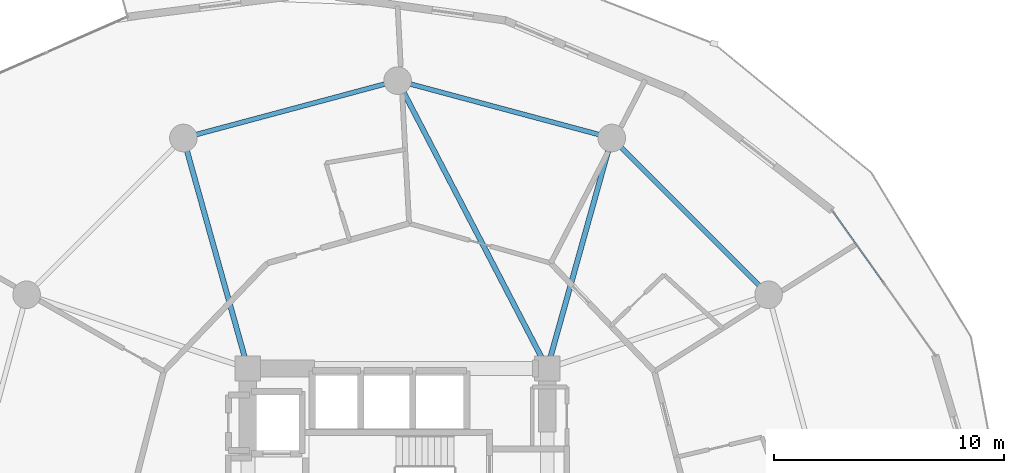
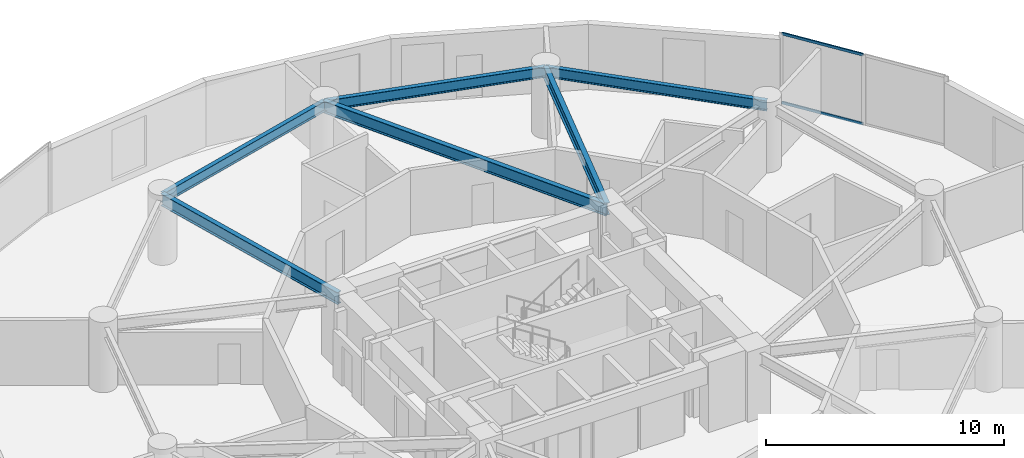
# One storey, part 16 of 25: 6 beams, 2 members, 1 element without a shape of its own.
"""IFC4 building model written with IfcOpenShell, lengths in metres."""

from ifc_helpers import new_model, si_unit, direction, frame, origin, origin_2d, place, context, subcontext, project, spatial, hollow_rectangle, i_section, extrude, source, transform, mapped, material, layer, layer_set, material_profile, profile_set, type_object, element, aggregate, save


model = new_model("IFC4")

# Units and contexts
model_context = context("Model", 3, precision=1e-05, world=origin(), true_north=direction((0.0, 1.0)))
body_context = subcontext(model_context, "Body", "Model", "MODEL_VIEW")
ifc_project = project(units=[si_unit("LENGTHUNIT", "METRE"), si_unit("AREAUNIT", "SQUARE_METRE"), si_unit("VOLUMEUNIT", "CUBIC_METRE"), si_unit("PLANEANGLEUNIT", "RADIAN"), si_unit("MASSUNIT", "GRAM", prefix="KILO")], contexts=[model_context])

# Site, building, storey
site_placement = place(None, origin())
site = spatial("IfcSite", under=ifc_project, at=site_placement, CompositionType="ELEMENT")
building_placement = place(site_placement, origin())
building = spatial("IfcBuilding", under=site, at=building_placement, Name="Solvirekh Grand Hotel", CompositionType="ELEMENT")
storey_placement = place(building_placement, frame((0.0, 0.0, 60.800048828125)))
storey = spatial("IfcBuildingStorey", under=building, at=storey_placement, Name="L14", CompositionType="ELEMENT", Elevation=60.800048828125)

# Beams
ifc_material_1 = material(Name="Steel S355", Category="steel")
ifc_material_profile_1 = material_profile(ifc_material_1, i_section(OverallWidth=0.22998046875, OverallDepth=0.615966796875, WebThickness=0.013916015625, FlangeThickness=0.02392578125, FilletRadius=0.014892578125, at=origin_2d()), Name="W610X174")
ifc_profile_set_1 = profile_set([ifc_material_profile_1], Name="Steel S355")
beam_type_1 = type_object("IfcBeamType", Name="Beam_Primary_W610H", PredefinedType="BEAM", material=ifc_profile_set_1)
beam_1_placement = place(storey_placement, frame((6.5, 6.10009765625, 3.031982421875), z_axis=(0.269439084681, 0.963017434757, 0.0), x_axis=(-0.963017434757, 0.269439084681, 0.0)))
element("IfcBeam", 1, at=beam_1_placement, inside=storey, type_object=beam_type_1, Name="L14 radial floor beam R03", PredefinedType="BEAM", context=body_context, shape_type="SweptSolid", body=[
    extrude(i_section(OverallWidth=0.22998046875, OverallDepth=0.615966796875, WebThickness=0.013916015625, FlangeThickness=0.02392578125, FilletRadius=0.014892578125, at=origin_2d()), origin(), (0.0, 0.0, 1.0), 10.39208984375),
])
beam_2_placement = place(storey_placement, frame((6.5, 6.10009765625, 3.031982421875), z_axis=(-0.461352736642, 0.887216801235, 0.0), x_axis=(-0.887216801235, -0.461352736642, 0.0)))
element("IfcBeam", 2, at=beam_2_placement, inside=storey, type_object=beam_type_1, Name="L14 radial floor beam R04", PredefinedType="BEAM", context=body_context, shape_type="SweptSolid", body=[
    extrude(i_section(OverallWidth=0.22998046875, OverallDepth=0.615966796875, WebThickness=0.013916015625, FlangeThickness=0.02392578125, FilletRadius=0.014892578125, at=origin_2d()), origin(), (0.0, 0.0, 1.0), 14.089111328125),
])
beam_3_placement = place(storey_placement, frame((-6.5, 6.10009765625, 3.031982421875), z_axis=(-0.269439084681, 0.963017434757, 0.0), x_axis=(-0.963017434757, -0.269439084681, 0.0)))
element("IfcBeam", 3, at=beam_3_placement, inside=storey, type_object=beam_type_1, Name="L14 radial floor beam R05", PredefinedType="BEAM", context=body_context, shape_type="SweptSolid", body=[
    extrude(i_section(OverallWidth=0.22998046875, OverallDepth=0.615966796875, WebThickness=0.013916015625, FlangeThickness=0.02392578125, FilletRadius=0.014892578125, at=origin_2d()), origin(), (0.0, 0.0, 1.0), 10.39208984375),
])
ifc_material_profile_2 = material_profile(ifc_material_1, i_section(OverallWidth=0.208984375, OverallDepth=0.532958984375, WebThickness=0.010009765625, FlangeThickness=0.014892578125, FilletRadius=0.013916015625, at=origin_2d()), Name="W530X92")
ifc_profile_set_2 = profile_set([ifc_material_profile_2], Name="Steel S355")
beam_type_2 = type_object("IfcBeamType", Name="Spandrel_Ring_W530", PredefinedType="SPANDREL", material=ifc_profile_set_2)
beam_4_placement = place(storey_placement, frame((16.10791015625, 9.300048828125, 3.072998046875), z_axis=(-0.707106781187, 0.707106781187, 0.0), x_axis=(-0.707106781187, -0.707106781187, 0.0)))
element("IfcBeam", 4, at=beam_4_placement, inside=storey, type_object=beam_type_2, Name="L14 perimeter spandrel beam 2", PredefinedType="SPANDREL", context=body_context, shape_type="SweptSolid", body=[
    extrude(i_section(OverallWidth=0.208984375, OverallDepth=0.532958984375, WebThickness=0.010009765625, FlangeThickness=0.014892578125, FilletRadius=0.013916015625, at=origin_2d()), origin(), (0.0, 0.0, 1.0), 9.627685546875),
])
for number, where, z_axis, x_axis, name in (
    (5, (9.300048828125, 16.10791015625, 3.072998046875), (-0.965919414426, 0.258842973314, 0.0), (-0.258842973314, -0.965919414426, 0.0), "L14 perimeter spandrel beam 3"),
    (6, (0.0, 18.60009765625, 3.072998046875), (-0.965919414426, -0.258842973314, 0.0), (0.258842973314, -0.965919414426, 0.0), "L14 perimeter spandrel beam 4"),
):
    element("IfcBeam", number, at=place(storey_placement, frame(where, z_axis=z_axis, x_axis=x_axis)), inside=storey, type_object=beam_type_2, Name=name, PredefinedType="SPANDREL", context=body_context, shape_type="SweptSolid", body=[
        extrude(i_section(OverallWidth=0.208984375, OverallDepth=0.532958984375, WebThickness=0.010009765625, FlangeThickness=0.014892578125, FilletRadius=0.013916015625, at=origin_2d()), origin(), (0.0, 0.0, 1.0), 9.628173828125),
    ])

# Curtain wall, members
ifc_material_2 = material(Name="Anodized Bronze Aluminium 6063-T6", Category="aluminium")
ifc_layer = layer(ifc_material_2, 0.18994140625)
ifc_layer_set = layer_set([ifc_layer], Name="Anodized Bronze Aluminium 6063-T6")
curtain_wall_type = type_object("IfcCurtainWallType", Name="CW_Sys2_LowZoneFlushBronzeCW", PredefinedType="NOTDEFINED", material=ifc_layer_set)
curtain_wall_placement = place(storey_placement, origin())
curtain_wall = element("IfcCurtainWall", 7, at=curtain_wall_placement, inside=storey, type_object=curtain_wall_type, Name="L14 unitised bronze-glass curtain wall CW-L14-C03", PredefinedType="NOTDEFINED")
ifc_material_profile_3 = material_profile(ifc_material_2, hollow_rectangle(XDim=0.06005859375, YDim=0.135009765625, WallThickness=0.00390625, at=origin_2d()), Name="ALU RHS 135X60X4")
ifc_profile_set_3 = profile_set([ifc_material_profile_3], Name="Anodized Bronze Aluminium 6063-T6")
member_type = type_object("IfcMemberType", Name="CWTransom_Sys2", PredefinedType="USERDEFINED", material=ifc_profile_set_3)
shared_shape = source(origin(), body_context, "Body", "SweptSolid", [
    extrude(hollow_rectangle(XDim=0.06005859375, YDim=0.135009765625, WallThickness=0.00390625, at=origin_2d()), origin(), (0.0, 0.0, 1.0), 3.74755859375),
])
member_1_placement = place(storey_placement, frame((21.082763671875, 9.849609375, 0.030029296875), z_axis=(-0.580128404725, 0.814525035853, 0.0), x_axis=(-0.814525035853, -0.580128404725, 0.0)))
member_1 = element("IfcMember", 8, at=member_1_placement, type_object=member_type, Name="U02 transom 2.1", ObjectType="TRANSOM", PredefinedType="USERDEFINED", context=body_context, shape_type="MappedRepresentation", body=[
    mapped(shared_shape, transform((0.0, 0.0, 0.0), x_axis=(1.0, 0.0, 0.0), y_axis=(0.0, 1.0, 0.0), z_axis=(0.0, 0.0, 1.0), scale=1.0)),
])
member_2_placement = place(storey_placement, frame((21.082763671875, 9.849609375, 3.570068359375), z_axis=(-0.580128404725, 0.814525035853, 0.0), x_axis=(-0.814525035853, -0.580128404725, 0.0)))
member_2 = element("IfcMember", 9, at=member_2_placement, type_object=member_type, Name="U02 transom 2.2", ObjectType="TRANSOM", PredefinedType="USERDEFINED", context=body_context, shape_type="MappedRepresentation", body=[
    mapped(shared_shape, transform((0.0, 0.0, 0.0), x_axis=(1.0, 0.0, 0.0), y_axis=(0.0, 1.0, 0.0), z_axis=(0.0, 0.0, 1.0), scale=1.0)),
])
aggregate(curtain_wall, [member_1, member_2])

save(model, "model.ifc")
